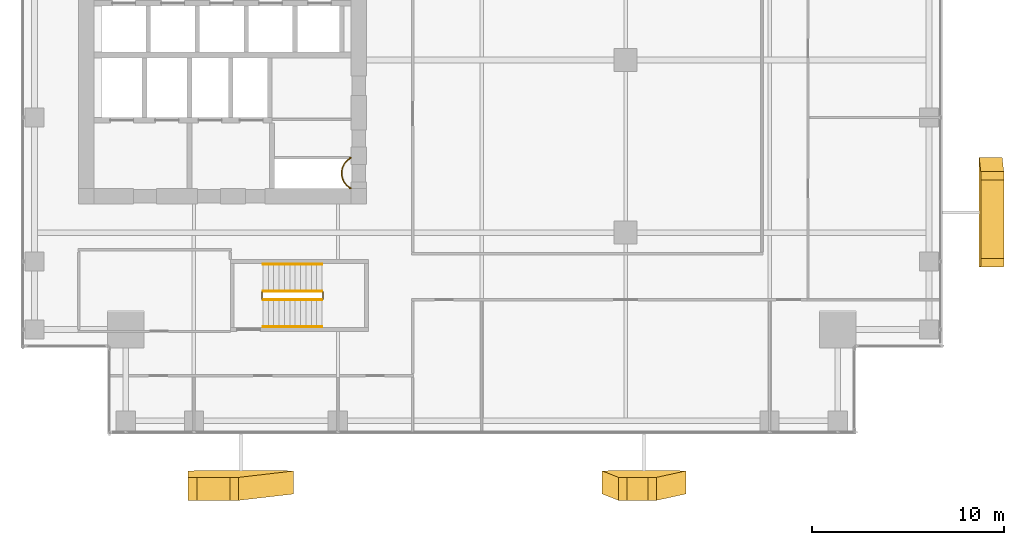
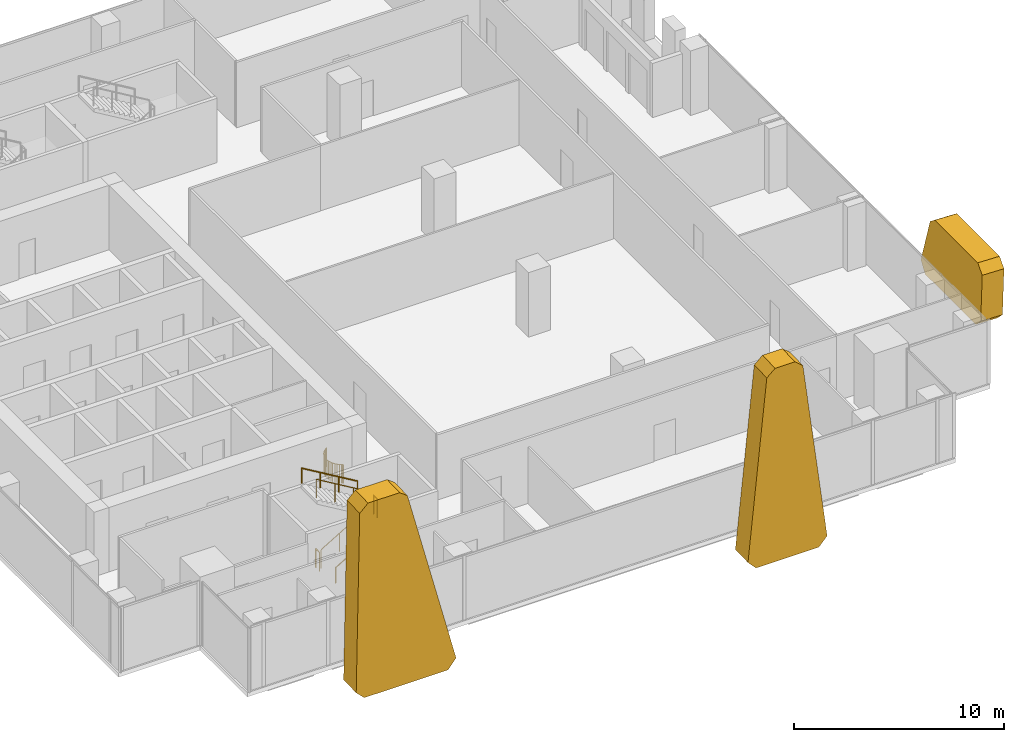
# One storey, part 36 of 38: 7 railings, 3 coverings.
"""IFC4 building model written with IfcOpenShell, lengths in metres."""

from ifc_helpers import new_model, si_unit, direction, frame, origin, origin_2d, place, context, subcontext, project, spatial, polyline, circle, outline, extrude, source, transform, mapped, material, layer, layer_set, type_object, element, save


model = new_model("IFC4")

# Units and contexts
model_context = context("Model", 3, precision=1e-05, world=origin(), true_north=direction((0.0, 1.0)))
body_context = subcontext(model_context, "Body", "Model", "MODEL_VIEW")
ifc_project = project(units=[si_unit("LENGTHUNIT", "METRE"), si_unit("AREAUNIT", "SQUARE_METRE"), si_unit("VOLUMEUNIT", "CUBIC_METRE"), si_unit("PLANEANGLEUNIT", "RADIAN"), si_unit("MASSUNIT", "GRAM", prefix="KILO")], contexts=[model_context])

# Site, building, storey
site_placement = place(None, origin())
site = spatial("IfcSite", under=ifc_project, at=site_placement, CompositionType="ELEMENT")
building_placement = place(site_placement, origin())
building = spatial("IfcBuilding", under=site, at=building_placement, Name="Khomas Fold Tower", CompositionType="ELEMENT")
storey_placement = place(building_placement, frame((0.0, 0.0, 196.699951171875)))
storey = spatial("IfcBuildingStorey", under=building, at=storey_placement, Name="L43", CompositionType="ELEMENT", Elevation=196.699951171875)

# Coverings
ifc_material_1 = material(Name="Natural stone cladding", Category="masonry")
ifc_layer = layer(ifc_material_1, 1.199951171875)
ifc_layer_set = layer_set([ifc_layer], Name="Natural stone cladding")
covering_type = type_object("IfcCoveringType", Name="SK-Karibib marble stone panel", PredefinedType="CLADDING", material=ifc_layer_set)
covering_1_placement = place(storey_placement, frame((14.32763671875, 0.7470703125, 11.217041015625), z_axis=(-4.3986e-07, 0.999510929053, 0.03127143589), x_axis=(0.260094327956, 0.03019528788, -0.965110970384)))
element("IfcCovering", 1, at=covering_1_placement, inside=storey, type_object=covering_type, Name="OUTER SKIN leaf L43 SS03-1", PredefinedType="CLADDING", context=body_context, shape_type="SweptSolid", body=[
    extrude(outline(polyline([(0.0, 0.0), (11.034908797063583, 4.440892098500626e-16), (11.469762054184365, 0.5671941797084226), (10.269873767793051, 5.02170110997336), (9.718171009919667, 5.339080709935591), (-0.5704722089013013, 2.5676802667882703), (-0.888115471450893, 2.016129270594884), (-0.4346648865059116, 0.3327235768490162), (0.0, 0.0)])), origin(), (0.0, 0.0, -1.0), 1.199951171875),
])
covering_2_placement = place(storey_placement, frame((36.10693359375, 0.748779296875, 11.163818359375), z_axis=(-8.686287e-06, 0.999511016663, 0.031268634338), x_axis=(0.141826580042, 0.030953787316, -0.989407440969)))
element("IfcCovering", 2, at=covering_2_placement, inside=storey, type_object=covering_type, Name="OUTER SKIN leaf L43 SS06-2", PredefinedType="CLADDING", context=body_context, shape_type="SweptSolid", body=[
    extrude(outline(polyline([(0.0, 0.0), (10.763929655375078, -2.220446049250313e-16), (11.209701420716458, 0.5139744276435596), (10.718398358163943, 3.9430688552534274), (10.173835909673318, 4.3183595119513924), (-0.25393974876479547, 1.9704753696312485), (-0.6006510648084313, 1.46773421213635), (-0.44570137103702323, 0.38624872594605036), (0.0, 0.0)])), origin(), (0.0, 0.0, -1.0), 1.199951171875),
])
covering_3_placement = place(storey_placement, frame((53.00244140625, 16.675048828125, 3.220703125), z_axis=(-0.999510966558, 2.237886e-06, 0.031270237061), x_axis=(-0.03012722262, 0.267829347745, -0.962995218547)))
element("IfcCovering", 3, at=covering_3_placement, inside=storey, type_object=covering_type, Name="OUTER SKIN leaf L43 ES03-1", PredefinedType="CLADDING", context=body_context, shape_type="SweptSolid", body=[
    extrude(outline(polyline([(0.0, 0.0), (2.7519782779868462, 0.0), (3.1858947869584195, 0.570404119609693), (1.8925850533043935, 5.222845836978783), (1.338354846428237, 5.535790915010368), (-1.2162243413195195, 4.825655822374452), (-1.529441645713943, 4.271573213327269), (-0.4336037456023182, 0.32949976464995606), (0.0, 0.0)])), origin(), (0.0, 0.0, -1.0), 1.199951171875),
])

# Railings
ifc_material_2 = material(Name="Steel balustrade", Category="steel")
railing_type_1 = type_object("IfcRailingType", Name="Stair guard", PredefinedType="GUARDRAIL", material=ifc_material_2)
shared_shape_1 = source(origin(), body_context, "Body", "SweptSolid", [
    extrude(circle(Radius=0.02392578125, at=origin_2d()), frame((0.0, 0.0, 1.076171875), z_axis=(0.0, 1.0, 0.0), x_axis=(-1.0, 0.0, 0.0)), (0.0, 0.0, 1.0), 0.349853515625),
    extrude(circle(Radius=0.02099609375, at=origin_2d()), origin(), (0.0, 0.0, 1.0), 1.052001953125),
    extrude(circle(Radius=0.02099609375, at=origin_2d()), frame((0.0, 0.349853515625, 0.0)), (0.0, 0.0, 1.0), 1.052001953125),
])
for number, where, name in (
    (4, (18.72998046875, 10.050048828125, 2.0), "L43 ST2 stair guard 2"),
    (5, (15.550048828125, 10.050048828125, 0.0), "L43 ST2 stair guard 4"),
):
    element("IfcRailing", number, at=place(storey_placement, frame(where)), inside=storey, type_object=railing_type_1, Name=name, PredefinedType="GUARDRAIL", context=body_context, shape_type="MappedRepresentation", body=[
        mapped(shared_shape_1, transform((0.0, 0.0, 0.0))),
    ])
shared_shape_2 = source(origin(), body_context, "Body", "SweptSolid", [
    extrude(circle(Radius=0.02392578125, at=origin_2d()), frame((0.0, 0.0, 1.076171875), z_axis=(0.859290745958, 0.0, 0.51148745235), x_axis=(0.0, 1.0, 0.0)), (0.0, 0.0, 1.0), 3.584228515625),
    extrude(circle(Radius=0.02099609375, at=origin_2d()), origin(), (0.0, 0.0, 1.0), 1.052001953125),
    extrude(circle(Radius=0.02099609375, at=origin_2d()), frame((1.026611328125, 0.0, 0.611083984375)), (0.0, 0.0, 1.0), 1.052001953125),
    extrude(circle(Radius=0.02099609375, at=origin_2d()), frame((2.05322265625, 0.0, 1.22216796875)), (0.0, 0.0, 1.0), 1.052001953125),
    extrude(circle(Radius=0.02099609375, at=origin_2d()), frame((3.079833984375, 0.0, 1.833251953125)), (0.0, 0.0, 1.0), 1.052001953125),
])
railing_1_placement = place(storey_placement, frame((15.60009765625, 10.0, 0.166748046875)))
element("IfcRailing", 6, at=railing_1_placement, inside=storey, type_object=railing_type_1, Name="L43 ST2 stair guard 1", PredefinedType="GUARDRAIL", context=body_context, shape_type="MappedRepresentation", body=[
    mapped(shared_shape_2, transform((0.0, 0.0, 0.0))),
])
shared_shape_3 = source(origin(), body_context, "Body", "SweptSolid", [
    extrude(circle(Radius=0.02392578125, at=origin_2d()), frame((0.0, 0.0, 1.076171875), z_axis=(-0.859290745958, 0.0, 0.51148745235), x_axis=(0.0, -1.0, 0.0)), (0.0, 0.0, 1.0), 3.584228515625),
    extrude(circle(Radius=0.02099609375, at=origin_2d()), origin(), (0.0, 0.0, 1.0), 1.052001953125),
    extrude(circle(Radius=0.02099609375, at=origin_2d()), frame((-1.026611328125, 0.0, 0.611083984375)), (0.0, 0.0, 1.0), 1.052001953125),
    extrude(circle(Radius=0.02099609375, at=origin_2d()), frame((-2.05322265625, 0.0, 1.22216796875)), (0.0, 0.0, 1.0), 1.052001953125),
    extrude(circle(Radius=0.02099609375, at=origin_2d()), frame((-3.079833984375, 0.0, 1.833251953125)), (0.0, 0.0, 1.0), 1.052001953125),
])
railing_2_placement = place(storey_placement, frame((18.679931640625, 10.449951171875, 2.166748046875)))
element("IfcRailing", 7, at=railing_2_placement, inside=storey, type_object=railing_type_1, Name="L43 ST2 stair guard 3", PredefinedType="GUARDRAIL", context=body_context, shape_type="MappedRepresentation", body=[
    mapped(shared_shape_3, transform((0.0, 0.0, 0.0))),
])
ifc_material_3 = material(Name="Steel handrail", Category="steel")
railing_type_2 = type_object("IfcRailingType", Name="Stair handrail", PredefinedType="HANDRAIL", material=ifc_material_3)
shared_shape_4 = source(origin(), body_context, "Body", "SweptSolid", [
    extrude(circle(Radius=0.02392578125, at=origin_2d()), frame((0.0, 0.0, 0.8759765625), z_axis=(0.859290745958, 0.0, 0.51148745235), x_axis=(0.0, 1.0, 0.0)), (0.0, 0.0, 1.0), 3.584228515625),
    extrude(circle(Radius=0.02099609375, at=origin_2d()), origin(), (0.0, 0.0, 1.0), 0.851806640625),
    extrude(circle(Radius=0.02099609375, at=origin_2d()), frame((1.026611328125, 0.0, 0.611083984375)), (0.0, 0.0, 1.0), 0.851806640625),
    extrude(circle(Radius=0.02099609375, at=origin_2d()), frame((2.05322265625, 0.0, 1.22216796875)), (0.0, 0.0, 1.0), 0.851806640625),
    extrude(circle(Radius=0.02099609375, at=origin_2d()), frame((3.079833984375, 0.0, 1.833251953125)), (0.0, 0.0, 1.0), 0.851806640625),
])
railing_3_placement = place(storey_placement, frame((15.60009765625, 8.60009765625, 0.166748046875)))
element("IfcRailing", 8, at=railing_3_placement, inside=storey, type_object=railing_type_2, Name="L43 ST2 stair handrail 1", PredefinedType="HANDRAIL", context=body_context, shape_type="MappedRepresentation", body=[
    mapped(shared_shape_4, transform((0.0, 0.0, 0.0))),
])
shared_shape_5 = source(origin(), body_context, "Body", "SweptSolid", [
    extrude(circle(Radius=0.02392578125, at=origin_2d()), frame((0.0, 0.0, 0.8759765625), z_axis=(-0.859290745958, 0.0, 0.51148745235), x_axis=(0.0, -1.0, 0.0)), (0.0, 0.0, 1.0), 3.584228515625),
    extrude(circle(Radius=0.02099609375, at=origin_2d()), origin(), (0.0, 0.0, 1.0), 0.851806640625),
    extrude(circle(Radius=0.02099609375, at=origin_2d()), frame((-1.026611328125, 0.0, 0.611083984375)), (0.0, 0.0, 1.0), 0.851806640625),
    extrude(circle(Radius=0.02099609375, at=origin_2d()), frame((-2.05322265625, 0.0, 1.22216796875)), (0.0, 0.0, 1.0), 0.851806640625),
    extrude(circle(Radius=0.02099609375, at=origin_2d()), frame((-3.079833984375, 0.0, 1.833251953125)), (0.0, 0.0, 1.0), 0.851806640625),
])
railing_4_placement = place(storey_placement, frame((18.679931640625, 11.85009765625, 2.166748046875)))
element("IfcRailing", 9, at=railing_4_placement, inside=storey, type_object=railing_type_2, Name="L43 ST2 stair handrail 2", PredefinedType="HANDRAIL", context=body_context, shape_type="MappedRepresentation", body=[
    mapped(shared_shape_5, transform((0.0, 0.0, 0.0))),
])
ifc_material_4 = material(Name="Steel balustrade", Category="steel")
railing_type_3 = type_object("IfcRailingType", Name="Shaft guard", PredefinedType="GUARDRAIL", material=ifc_material_4)
shared_shape_6 = source(origin(), body_context, "Body", "SweptSolid", [
    extrude(circle(Radius=0.02490234375, at=origin_2d()), frame((0.0, 0.0, 1.0751953125), z_axis=(1.0, 0.0, 0.0), x_axis=(0.0, 1.0, 0.0)), (0.0, 0.0, 1.0), 0.06103515625),
    extrude(circle(Radius=0.02490234375, at=origin_2d()), frame((0.06103515625, 0.0, 1.0751953125), z_axis=(-0.90746690712, -0.420123568111, 0.0), x_axis=(0.420123568111, -0.90746690712, 0.0)), (0.0, 0.0, 1.0), 0.0146484375),
    extrude(circle(Radius=0.02490234375, at=origin_2d()), frame((0.0478515625, -0.006103515625, 1.0751953125), z_axis=(-0.857492925713, -0.514495755428, 0.0), x_axis=(0.514495755428, -0.857492925713, 0.0)), (0.0, 0.0, 1.0), 0.08837890625),
    extrude(circle(Radius=0.02490234375, at=origin_2d()), frame((-0.02783203125, -0.051513671875, 1.0751953125), z_axis=(-0.802970227885, -0.596019138224, 0.0), x_axis=(0.596019138224, -0.802970227885, 0.0)), (0.0, 0.0, 1.0), 0.08837890625),
    extrude(circle(Radius=0.02490234375, at=origin_2d()), frame((-0.098876953125, -0.104248046875, 1.0751953125), z_axis=(-0.740814996175, -0.671709119666, 0.0), x_axis=(0.671709119666, -0.740814996175, 0.0)), (0.0, 0.0, 1.0), 0.08837890625),
    extrude(circle(Radius=0.02490234375, at=origin_2d()), frame((-0.164306640625, -0.16357421875, 1.0751953125), z_axis=(-0.671709119666, -0.740814996175, 0.0), x_axis=(0.740814996175, -0.671709119666, 0.0)), (0.0, 0.0, 1.0), 0.08837890625),
    extrude(circle(Radius=0.02490234375, at=origin_2d()), frame((-0.2236328125, -0.22900390625, 1.0751953125), z_axis=(-0.595558727233, -0.803311771616, 0.0), x_axis=(0.803311771616, -0.595558727233, 0.0)), (0.0, 0.0, 1.0), 0.088134765625),
    extrude(circle(Radius=0.02490234375, at=origin_2d()), frame((-0.276123046875, -0.2998046875, 1.0751953125), z_axis=(-0.514495755428, -0.857492925713, 0.0), x_axis=(0.857492925713, -0.514495755428, 0.0)), (0.0, 0.0, 1.0), 0.08837890625),
    extrude(circle(Radius=0.02490234375, at=origin_2d()), frame((-0.321533203125, -0.37548828125, 1.0751953125), z_axis=(-0.427256721383, -0.904130352346, 0.0), x_axis=(0.904130352346, -0.427256721383, 0.0)), (0.0, 0.0, 1.0), 0.088623046875),
    extrude(circle(Radius=0.02490234375, at=origin_2d()), frame((-0.359375, -0.45556640625, 1.0751953125), z_axis=(-0.337738989679, -0.941239807302, 0.0), x_axis=(0.941239807302, -0.337738989679, 0.0)), (0.0, 0.0, 1.0), 0.088134765625),
    extrude(circle(Radius=0.02490234375, at=origin_2d()), frame((-0.38916015625, -0.53857421875, 1.0751953125), z_axis=(-0.243185799972, -0.969979724887, 0.0), x_axis=(0.969979724887, -0.243185799972, 0.0)), (0.0, 0.0, 1.0), 0.08837890625),
    extrude(circle(Radius=0.02490234375, at=origin_2d()), frame((-0.41064453125, -0.624267578125, 1.0751953125), z_axis=(-0.146448518259, -0.989218293148, 0.0), x_axis=(0.989218293148, -0.146448518259, 0.0)), (0.0, 0.0, 1.0), 0.08837890625),
    extrude(circle(Radius=0.02490234375, at=origin_2d()), frame((-0.423583984375, -0.711669921875, 1.0751953125), z_axis=(-0.049799629132, -0.998759228712, 0.0), x_axis=(0.998759228712, -0.049799629132, 0.0)), (0.0, 0.0, 1.0), 0.088134765625),
    extrude(circle(Radius=0.02490234375, at=origin_2d()), frame((-0.427978515625, -0.7998046875, 1.0751953125), z_axis=(0.049662400856, -0.998766061669, 0.0), x_axis=(0.998766061669, 0.049662400856, 0.0)), (0.0, 0.0, 1.0), 0.08837890625),
    extrude(circle(Radius=0.02490234375, at=origin_2d()), frame((-0.423583984375, -0.88818359375, 1.0751953125), z_axis=(0.146448518259, -0.989218293148, 0.0), x_axis=(0.989218293148, 0.146448518259, 0.0)), (0.0, 0.0, 1.0), 0.08837890625),
    extrude(circle(Radius=0.02490234375, at=origin_2d()), frame((-0.41064453125, -0.9755859375, 1.0751953125), z_axis=(0.243185799972, -0.969979724887, 0.0), x_axis=(0.969979724887, 0.243185799972, 0.0)), (0.0, 0.0, 1.0), 0.08837890625),
    extrude(circle(Radius=0.02490234375, at=origin_2d()), frame((-0.38916015625, -1.061279296875, 1.0751953125), z_axis=(0.337738989679, -0.941239807302, 0.0), x_axis=(0.941239807302, 0.337738989679, 0.0)), (0.0, 0.0, 1.0), 0.088134765625),
    extrude(circle(Radius=0.02490234375, at=origin_2d()), frame((-0.359375, -1.144287109375, 1.0751953125), z_axis=(0.428323905606, -0.903625271828, 0.0), x_axis=(0.903625271828, 0.428323905606, 0.0)), (0.0, 0.0, 1.0), 0.08837890625),
    extrude(circle(Radius=0.02490234375, at=origin_2d()), frame((-0.321533203125, -1.22412109375, 1.0751953125), z_axis=(0.514495755428, -0.857492925713, 0.0), x_axis=(0.857492925713, 0.514495755428, 0.0)), (0.0, 0.0, 1.0), 0.08837890625),
    extrude(circle(Radius=0.02490234375, at=origin_2d()), frame((-0.276123046875, -1.2998046875, 1.0751953125), z_axis=(0.594235623595, -0.804291006819, 0.0), x_axis=(0.804291006819, 0.594235623595, 0.0)), (0.0, 0.0, 1.0), 0.08837890625),
    extrude(circle(Radius=0.02490234375, at=origin_2d()), frame((-0.2236328125, -1.370849609375, 1.0751953125), z_axis=(0.671709119666, -0.740814996175, 0.0), x_axis=(0.740814996175, 0.671709119666, 0.0)), (0.0, 0.0, 1.0), 0.08837890625),
    extrude(circle(Radius=0.02490234375, at=origin_2d()), frame((-0.164306640625, -1.436279296875, 1.0751953125), z_axis=(0.740814996175, -0.671709119666, 0.0), x_axis=(0.671709119666, 0.740814996175, 0.0)), (0.0, 0.0, 1.0), 0.08837890625),
    extrude(circle(Radius=0.02490234375, at=origin_2d()), frame((-0.098876953125, -1.49560546875, 1.0751953125), z_axis=(0.804291006819, -0.594235623595, 0.0), x_axis=(0.594235623595, 0.804291006819, 0.0)), (0.0, 0.0, 1.0), 0.08837890625),
    extrude(circle(Radius=0.02490234375, at=origin_2d()), frame((-0.02783203125, -1.548095703125, 1.0751953125), z_axis=(0.857492925713, -0.514495755428, 0.0), x_axis=(0.514495755428, 0.857492925713, 0.0)), (0.0, 0.0, 1.0), 0.08837890625),
    extrude(circle(Radius=0.02490234375, at=origin_2d()), frame((0.0478515625, -1.593505859375, 1.0751953125), z_axis=(0.901001669759, -0.433815618773, 0.0), x_axis=(0.433815618773, 0.901001669759, 0.0)), (0.0, 0.0, 1.0), 0.0146484375),
    extrude(circle(Radius=0.02490234375, at=origin_2d()), frame((0.06103515625, -1.599853515625, 1.0751953125), z_axis=(-1.0, 0.0, 0.0), x_axis=(0.0, -1.0, 0.0)), (0.0, 0.0, 1.0), 0.06103515625),
    extrude(circle(Radius=0.02001953125, at=origin_2d()), origin(), (0.0, 0.0, 1.0), 1.050048828125),
    extrude(circle(Radius=0.02001953125, at=origin_2d()), frame((0.06103515625, 0.0, 0.0)), (0.0, 0.0, 1.0), 1.050048828125),
    extrude(circle(Radius=0.02001953125, at=origin_2d()), frame((0.0478515625, -0.006103515625, 0.0)), (0.0, 0.0, 1.0), 1.050048828125),
    extrude(circle(Radius=0.02001953125, at=origin_2d()), frame((-0.02783203125, -0.051513671875, 0.0)), (0.0, 0.0, 1.0), 1.050048828125),
    extrude(circle(Radius=0.02001953125, at=origin_2d()), frame((-0.098876953125, -0.104248046875, 0.0)), (0.0, 0.0, 1.0), 1.050048828125),
    extrude(circle(Radius=0.02001953125, at=origin_2d()), frame((-0.164306640625, -0.16357421875, 0.0)), (0.0, 0.0, 1.0), 1.050048828125),
    extrude(circle(Radius=0.02001953125, at=origin_2d()), frame((-0.2236328125, -0.22900390625, 0.0)), (0.0, 0.0, 1.0), 1.050048828125),
    extrude(circle(Radius=0.02001953125, at=origin_2d()), frame((-0.276123046875, -0.2998046875, 0.0)), (0.0, 0.0, 1.0), 1.050048828125),
    extrude(circle(Radius=0.02001953125, at=origin_2d()), frame((-0.321533203125, -0.37548828125, 0.0)), (0.0, 0.0, 1.0), 1.050048828125),
    extrude(circle(Radius=0.02001953125, at=origin_2d()), frame((-0.359375, -0.45556640625, 0.0)), (0.0, 0.0, 1.0), 1.050048828125),
    extrude(circle(Radius=0.02001953125, at=origin_2d()), frame((-0.38916015625, -0.53857421875, 0.0)), (0.0, 0.0, 1.0), 1.050048828125),
    extrude(circle(Radius=0.02001953125, at=origin_2d()), frame((-0.41064453125, -0.624267578125, 0.0)), (0.0, 0.0, 1.0), 1.050048828125),
    extrude(circle(Radius=0.02001953125, at=origin_2d()), frame((-0.423583984375, -0.711669921875, 0.0)), (0.0, 0.0, 1.0), 1.050048828125),
    extrude(circle(Radius=0.02001953125, at=origin_2d()), frame((-0.427978515625, -0.7998046875, 0.0)), (0.0, 0.0, 1.0), 1.050048828125),
    extrude(circle(Radius=0.02001953125, at=origin_2d()), frame((-0.423583984375, -0.88818359375, 0.0)), (0.0, 0.0, 1.0), 1.050048828125),
    extrude(circle(Radius=0.02001953125, at=origin_2d()), frame((-0.41064453125, -0.9755859375, 0.0)), (0.0, 0.0, 1.0), 1.050048828125),
    extrude(circle(Radius=0.02001953125, at=origin_2d()), frame((-0.38916015625, -1.061279296875, 0.0)), (0.0, 0.0, 1.0), 1.050048828125),
    extrude(circle(Radius=0.02001953125, at=origin_2d()), frame((-0.359375, -1.144287109375, 0.0)), (0.0, 0.0, 1.0), 1.050048828125),
    extrude(circle(Radius=0.02001953125, at=origin_2d()), frame((-0.321533203125, -1.22412109375, 0.0)), (0.0, 0.0, 1.0), 1.050048828125),
    extrude(circle(Radius=0.02001953125, at=origin_2d()), frame((-0.276123046875, -1.2998046875, 0.0)), (0.0, 0.0, 1.0), 1.050048828125),
    extrude(circle(Radius=0.02001953125, at=origin_2d()), frame((-0.2236328125, -1.370849609375, 0.0)), (0.0, 0.0, 1.0), 1.050048828125),
    extrude(circle(Radius=0.02001953125, at=origin_2d()), frame((-0.164306640625, -1.436279296875, 0.0)), (0.0, 0.0, 1.0), 1.050048828125),
    extrude(circle(Radius=0.02001953125, at=origin_2d()), frame((-0.098876953125, -1.49560546875, 0.0)), (0.0, 0.0, 1.0), 1.050048828125),
    extrude(circle(Radius=0.02001953125, at=origin_2d()), frame((-0.02783203125, -1.548095703125, 0.0)), (0.0, 0.0, 1.0), 1.050048828125),
    extrude(circle(Radius=0.02001953125, at=origin_2d()), frame((0.0478515625, -1.593505859375, 0.0)), (0.0, 0.0, 1.0), 1.050048828125),
    extrude(circle(Radius=0.02001953125, at=origin_2d()), frame((0.06103515625, -1.599853515625, 0.0)), (0.0, 0.0, 1.0), 1.050048828125),
    extrude(circle(Radius=0.02001953125, at=origin_2d()), frame((0.0, -1.599853515625, 0.0)), (0.0, 0.0, 1.0), 1.050048828125),
])
railing_5_placement = place(storey_placement, frame((20.1279296875, 17.39990234375, 0.0)))
element("IfcRailing", 10, at=railing_5_placement, inside=storey, type_object=railing_type_3, Name="Shaft guard L43 1", PredefinedType="GUARDRAIL", context=body_context, shape_type="MappedRepresentation", body=[
    mapped(shared_shape_6, transform((0.0, 0.0, 0.0))),
])

save(model, "model.ifc")
